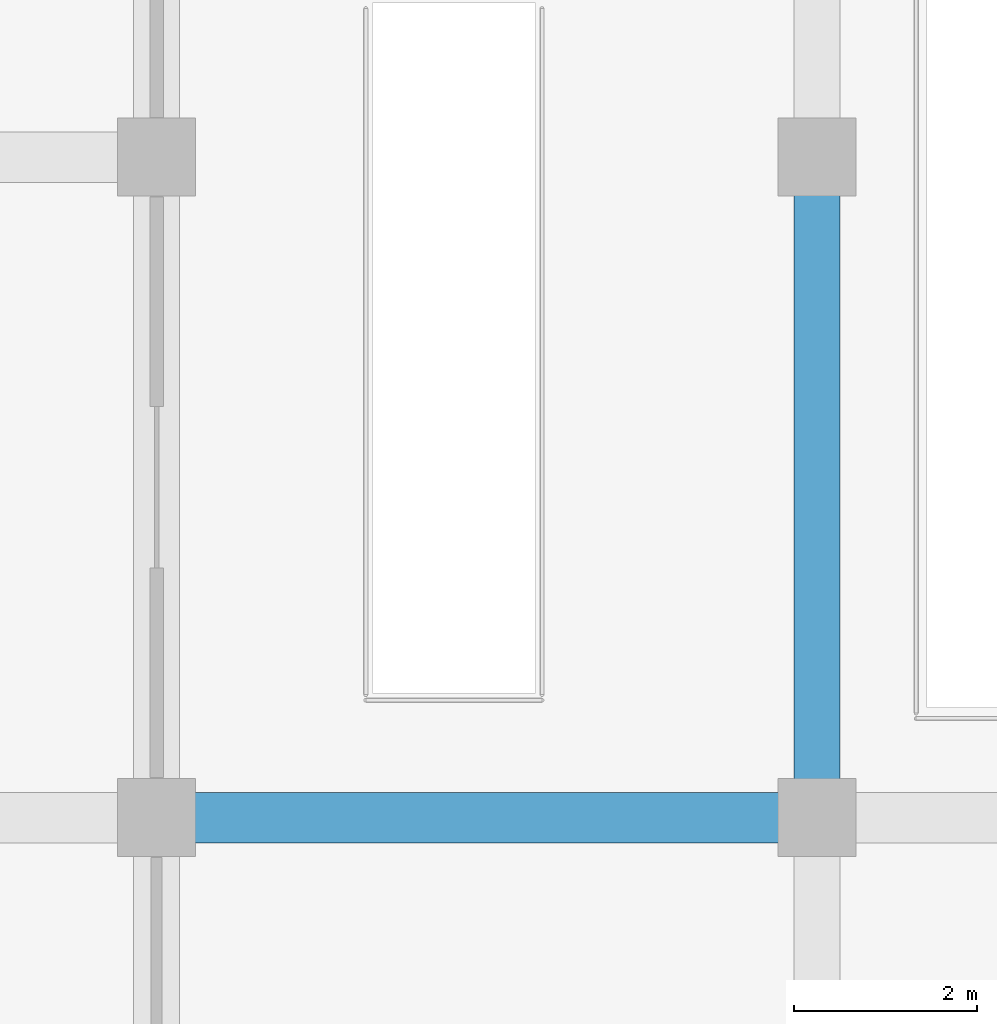
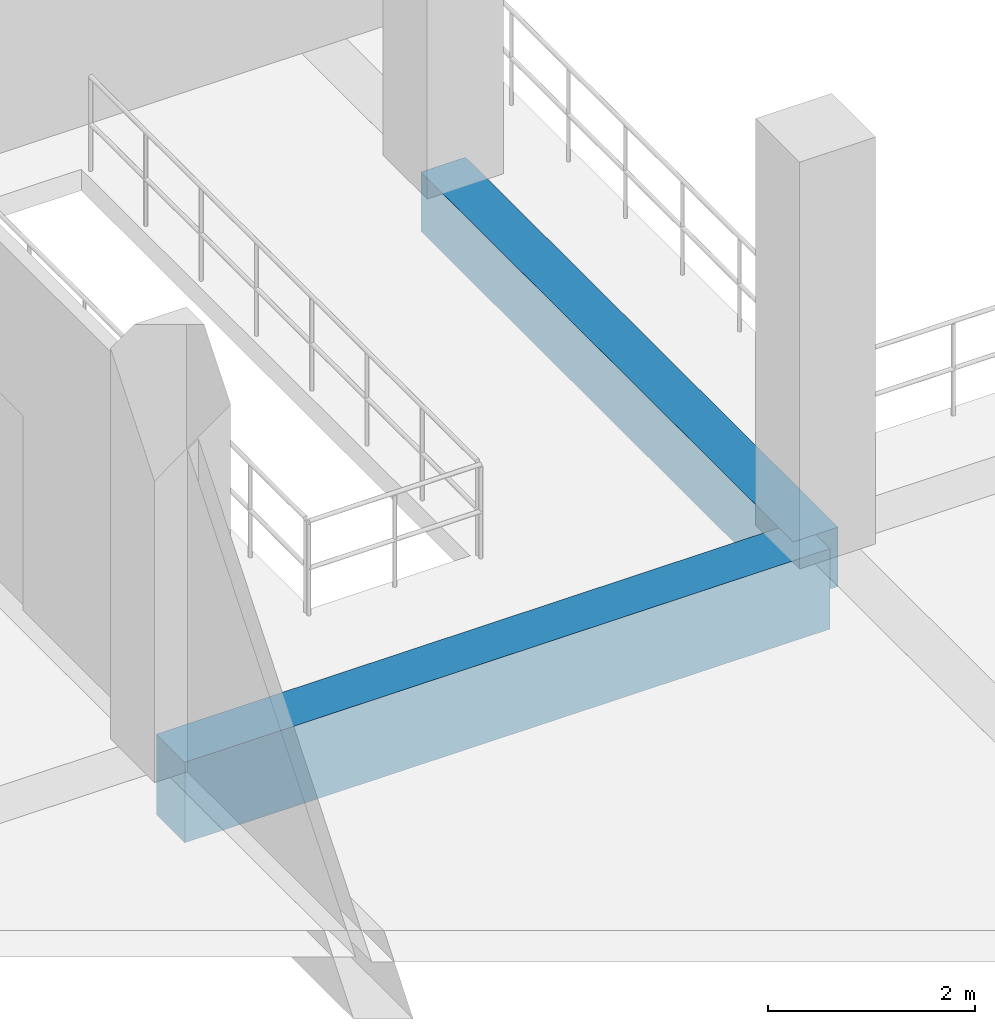
# One storey, part 21 of 181: 2 beams.
"""IFC4 building model written with IfcOpenShell, lengths in metres."""

from ifc_helpers import new_model, si_unit, direction, frame, origin, origin_2d, place, context, subcontext, project, spatial, rectangle, extrude, material, material_profile, profile_set, type_object, element, save


model = new_model("IFC4")

# Units and contexts
model_context = context("Model", 3, precision=1e-05, world=origin(), true_north=direction((0.0, 1.0)))
body_context = subcontext(model_context, "Body", "Model", "MODEL_VIEW")
ifc_project = project(units=[si_unit("LENGTHUNIT", "METRE"), si_unit("AREAUNIT", "SQUARE_METRE"), si_unit("VOLUMEUNIT", "CUBIC_METRE"), si_unit("PLANEANGLEUNIT", "RADIAN"), si_unit("MASSUNIT", "GRAM", prefix="KILO")], contexts=[model_context])

# Site, building, storey
site_placement = place(None, origin())
site = spatial("IfcSite", under=ifc_project, at=site_placement, CompositionType="ELEMENT")
building_placement = place(site_placement, origin())
building = spatial("IfcBuilding", under=site, at=building_placement, Name="Seraya Terrace Polytechnic", CompositionType="ELEMENT")
storey_placement = place(building_placement, frame((0.0, 0.0, 4.800048828125)))
storey = spatial("IfcBuildingStorey", under=building, at=storey_placement, Name="L01", CompositionType="ELEMENT", Elevation=4.800048828125)

# Beams
ifc_material = material(Name="Concrete C40/50", Category="concrete")
ifc_material_profile_1 = material_profile(ifc_material, rectangle(XDim=0.550048828125, YDim=0.949951171875, at=origin_2d()), Name="RC 550x950")
ifc_profile_set_1 = profile_set([ifc_material_profile_1], Name="Concrete C40/50")
beam_type_1 = type_object("IfcBeamType", Name="BM-03", PredefinedType="BEAM", material=ifc_profile_set_1)
beam_1_placement = place(storey_placement, frame((7.199951171875, 50.39990234375, -0.47509765625), z_axis=(1.0, 0.0, 0.0), x_axis=(0.0, 1.0, 0.0)))
element("IfcBeam", 1, at=beam_1_placement, inside=storey, type_object=beam_type_1, Name="Beam BM-03 L01 X (7.2..14.4, 50.4)", PredefinedType="BEAM", context=body_context, shape_type="SweptSolid", body=[
    extrude(rectangle(XDim=0.550048828125, YDim=0.949951171875, at=origin_2d()), origin(), (0.0, 0.0, 1.0), 7.199951171875),
])
ifc_material_profile_2 = material_profile(ifc_material, rectangle(XDim=0.5, YDim=0.699951171875, at=origin_2d()), Name="RC 500x700")
ifc_profile_set_2 = profile_set([ifc_material_profile_2], Name="Concrete C40/50")
beam_type_2 = type_object("IfcBeamType", Name="BM-07", PredefinedType="BEAM", material=ifc_profile_set_2)
beam_2_placement = place(storey_placement, frame((14.39990234375, 50.39990234375, -0.35009765625), z_axis=(0.0, 1.0, 0.0), x_axis=(-1.0, 0.0, 0.0)))
element("IfcBeam", 2, at=beam_2_placement, inside=storey, type_object=beam_type_2, Name="Beam BM-07 L01 Y (14.4, 50.4..57.6)", PredefinedType="BEAM", context=body_context, shape_type="SweptSolid", body=[
    extrude(rectangle(XDim=0.5, YDim=0.699951171875, at=origin_2d()), origin(), (0.0, 0.0, 1.0), 7.2001953125),
])

save(model, "model.ifc")
